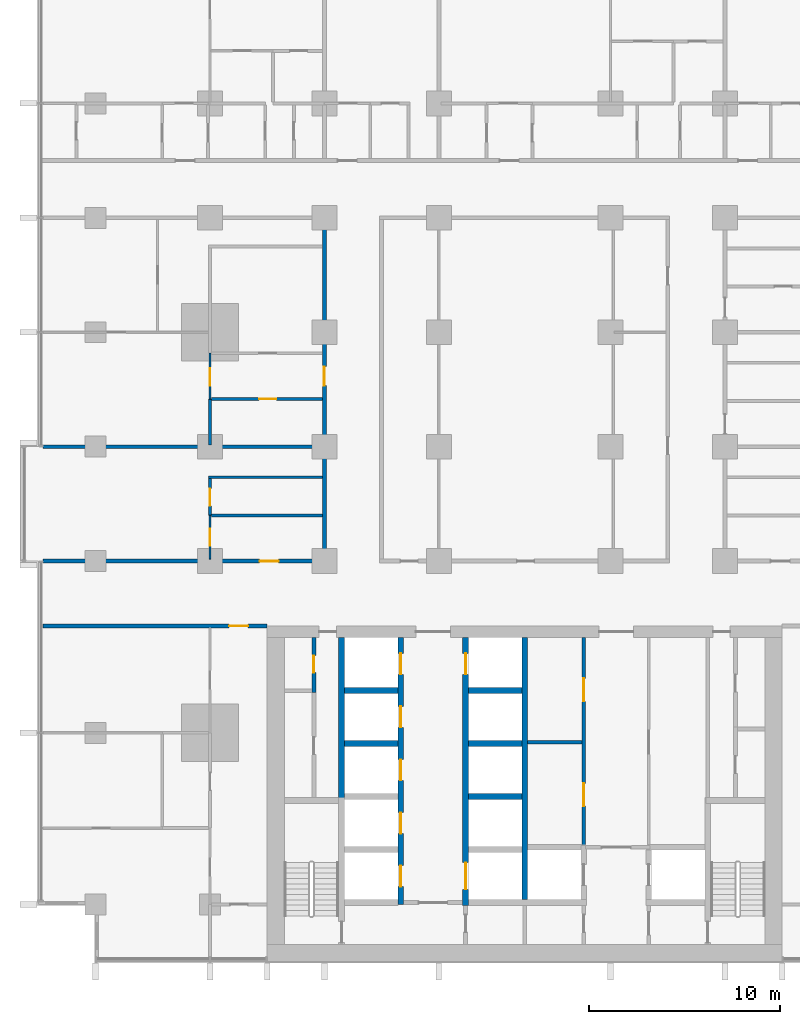
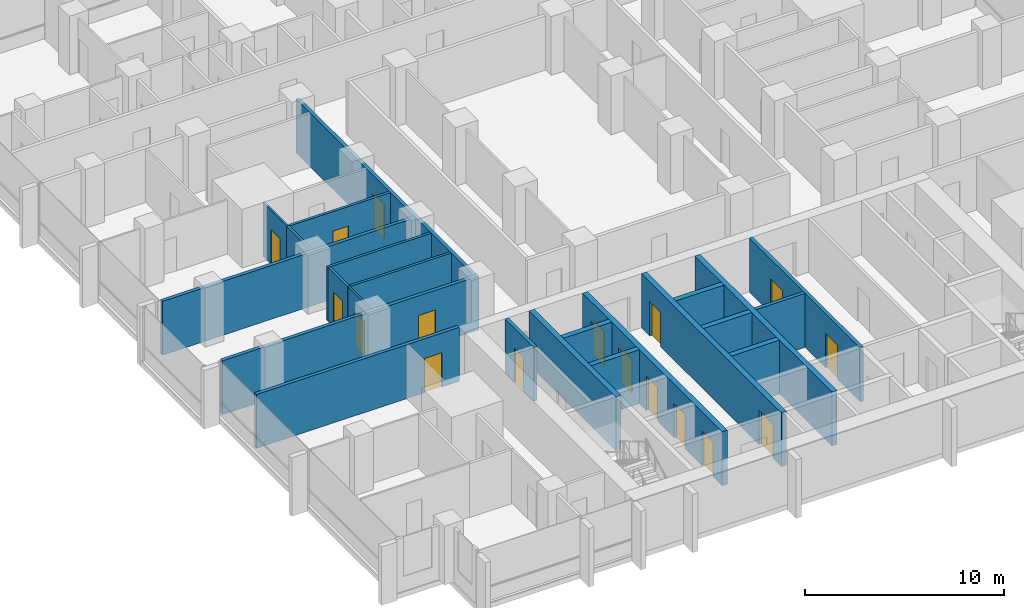
# One storey, part 8 of 18: 23 walls, 17 doors, 17 openings.
"""IFC4 building model written with IfcOpenShell, lengths in metres."""

from ifc_helpers import new_model, si_unit, direction, frame, frame_2d, origin, place, context, subcontext, project, spatial, rectangle, extrude, material, layer, layer_set, type_object, element, fill, save


model = new_model("IFC4")

# Units and contexts
model_context = context("Model", 3, precision=1e-05, world=origin(), true_north=direction((0.0, 1.0)))
body_context = subcontext(model_context, "Body", "Model", "MODEL_VIEW")
ifc_project = project(units=[si_unit("LENGTHUNIT", "METRE"), si_unit("AREAUNIT", "SQUARE_METRE"), si_unit("VOLUMEUNIT", "CUBIC_METRE"), si_unit("PLANEANGLEUNIT", "RADIAN"), si_unit("MASSUNIT", "GRAM", prefix="KILO")], contexts=[model_context])

# Site, building, storey
site_placement = place(None, origin())
site = spatial("IfcSite", under=ifc_project, at=site_placement, CompositionType="ELEMENT")
building_placement = place(site_placement, origin())
building = spatial("IfcBuilding", under=site, at=building_placement, Name="Finial Court Residences", CompositionType="ELEMENT")
storey_placement = place(building_placement, frame((0.0, 0.0, 54.10009765625)))
storey = spatial("IfcBuildingStorey", under=building, at=storey_placement, Name="L12", CompositionType="ELEMENT", Elevation=54.10009765625)

# Wall
ifc_material_1 = material(Name="Gypsum board")
ifc_layer_1 = layer(ifc_material_1, 0.02490234375)
ifc_material_2 = material(Name="Acoustic mineral wool in double frame")
ifc_layer_2 = layer(ifc_material_2, 0.14990234375)
ifc_layer_3 = layer(ifc_material_1, 0.02490234375)
ifc_layer_set_1 = layer_set([ifc_layer_1, ifc_layer_2, ifc_layer_3], Name="Acoustic party wall 200, 1 hour")
wall_type_1 = type_object("IfcWallType", Name="Acoustic party wall 200, 1 hour", PredefinedType="PARTITIONING", material=ifc_layer_set_1)
wall_1_placement = place(storey_placement, frame((-25.25, 1.5, 0.0), z_axis=(0.0, 0.0, 1.0), x_axis=(1.0, 0.0, 0.0)))
element("IfcWall", 1, at=wall_1_placement, inside=storey, type_object=wall_type_1, Name="Partition L12-019", PredefinedType="PARTITIONING", context=body_context, shape_type="SweptSolid", body=[
    extrude(rectangle(XDim=14.64990234375, YDim=0.199951171875, at=frame_2d((7.324951171875, 0.0))), origin(), (0.0, 0.0, 1.0), 3.2998046875),
])

# Wall, opening, door
ifc_layer_4 = layer(ifc_material_1, 0.02490234375)
ifc_layer_5 = layer(ifc_material_2, 0.14990234375)
ifc_layer_6 = layer(ifc_material_1, 0.02490234375)
ifc_layer_set_2 = layer_set([ifc_layer_4, ifc_layer_5, ifc_layer_6], Name="Corridor wall 200, 1 hour")
wall_type_2 = type_object("IfcWallType", Name="Corridor wall 200, 1 hour", PredefinedType="PARTITIONING", material=ifc_layer_set_2)
wall_2_placement = place(storey_placement, frame((-25.25, -7.89990234375, 0.0), z_axis=(0.0, 0.0, 1.0), x_axis=(1.0, 0.0, 0.0)))
wall_2 = element("IfcWall", 2, at=wall_2_placement, inside=storey, type_object=wall_type_2, Name="Partition L12-010", PredefinedType="PARTITIONING", context=body_context, shape_type="SweptSolid", body=[
    extrude(rectangle(XDim=11.75, YDim=0.199951171875, at=frame_2d((5.875, 0.0))), origin(), (0.0, 0.0, 1.0), 3.2998046875),
])
opening_1_placement = place(wall_2_placement, frame((9.75, 0.0, 0.0)))
opening_1 = element("IfcOpeningElement", 3, at=opening_1_placement, cuts=wall_2, Name="Opening L12-D005", PredefinedType="OPENING", context=body_context, shape_type="SweptSolid", body=[
    extrude(rectangle(XDim=1.0, YDim=2.10009765625, at=frame_2d((0.5, 1.050048828125))), frame((0.0, 0.10986328125, 0.0), z_axis=(0.0, -1.0, 0.0), x_axis=(1.0, 0.0, 0.0)), (0.0, 0.0, 1.0), 0.219970703125),
])
ifc_material_3 = material(Name="Timber door leaf in hollow metal frame", Category="wood")
door_type_1 = type_object("IfcDoorType", Name="Fire door set 1000 x 2100, 30 minutes", OperationType="SINGLE_SWING_LEFT", PredefinedType="DOOR", material=ifc_material_3)
door_1_placement = place(opening_1_placement, origin())
door_1 = element("IfcDoor", 4, at=door_1_placement, inside=storey, type_object=door_type_1, Name="Door L12-D005", OperationType="SINGLE_SWING_RIGHT", OverallHeight=2.10009765625, OverallWidth=1.0, PredefinedType="DOOR", context=body_context, shape_type="SweptSolid", body=[
    extrude(rectangle(XDim=1.0, YDim=2.10009765625, at=frame_2d((0.5, 1.050048828125))), frame((0.0, 0.02490234375, 0.0), z_axis=(0.0, -1.0, 0.0), x_axis=(1.0, 0.0, 0.0)), (0.0, 0.0, 1.0), 0.050048828125),
])
fill(opening_1, door_1)

wall_3_placement = place(storey_placement, frame((-25.25, -4.5, 0.0), z_axis=(0.0, 0.0, 1.0), x_axis=(1.0, 0.0, 0.0)))
wall_3 = element("IfcWall", 5, at=wall_3_placement, inside=storey, type_object=wall_type_2, Name="Partition L12-012", PredefinedType="PARTITIONING", context=body_context, shape_type="SweptSolid", body=[
    extrude(rectangle(XDim=14.85009765625, YDim=0.199951171875, at=frame_2d((7.425048828125, 0.0))), origin(), (0.0, 0.0, 1.0), 3.2998046875),
])
opening_2_placement = place(wall_3_placement, frame((11.35009765625, 0.0, 0.0)))
opening_2 = element("IfcOpeningElement", 6, at=opening_2_placement, cuts=wall_3, Name="Opening L12-D007", PredefinedType="OPENING", context=body_context, shape_type="SweptSolid", body=[
    extrude(rectangle(XDim=1.0, YDim=2.10009765625, at=frame_2d((0.5, 1.050048828125))), frame((0.0, 0.10986328125, 0.0), z_axis=(0.0, -1.0, 0.0), x_axis=(1.0, 0.0, 0.0)), (0.0, 0.0, 1.0), 0.219970703125),
])
door_2_placement = place(opening_2_placement, origin())
door_2 = element("IfcDoor", 7, at=door_2_placement, inside=storey, type_object=door_type_1, Name="Door L12-D007", OperationType="SINGLE_SWING_LEFT", OverallHeight=2.10009765625, OverallWidth=1.0, PredefinedType="DOOR", context=body_context, shape_type="SweptSolid", body=[
    extrude(rectangle(XDim=1.0, YDim=2.10009765625, at=frame_2d((0.5, 1.050048828125))), frame((0.0, 0.02490234375, 0.0), z_axis=(0.0, -1.0, 0.0), x_axis=(1.0, 0.0, 0.0)), (0.0, 0.0, 1.0), 0.050048828125),
])
fill(opening_2, door_2)

wall_4_placement = place(storey_placement, frame((-10.5, -4.39990234375, 0.0), z_axis=(0.0, 0.0, 1.0), x_axis=(0.0, 1.0, 0.0)))
wall_4 = element("IfcWall", 8, at=wall_4_placement, inside=storey, type_object=wall_type_2, Name="Partition L12-073", PredefinedType="PARTITIONING", context=body_context, shape_type="SweptSolid", body=[
    extrude(rectangle(XDim=17.7998046875, YDim=0.199951171875, at=frame_2d((8.89990234375, 0.0))), origin(), (0.0, 0.0, 1.0), 3.2998046875),
])
opening_3_placement = place(wall_4_placement, frame((9.10009765625, 0.0, 0.0)))
opening_3 = element("IfcOpeningElement", 9, at=opening_3_placement, cuts=wall_4, Name="Opening L12-D044", PredefinedType="OPENING", context=body_context, shape_type="SweptSolid", body=[
    extrude(rectangle(XDim=1.0, YDim=2.10009765625, at=frame_2d((0.5, 1.050048828125))), frame((0.0, 0.10986328125, 0.0), z_axis=(0.0, -1.0, 0.0), x_axis=(1.0, 0.0, 0.0)), (0.0, 0.0, 1.0), 0.219970703125),
])
door_3_placement = place(opening_3_placement, origin())
door_3 = element("IfcDoor", 10, at=door_3_placement, inside=storey, type_object=door_type_1, Name="Door L12-D044", OperationType="SINGLE_SWING_LEFT", OverallHeight=2.10009765625, OverallWidth=1.0, PredefinedType="DOOR", context=body_context, shape_type="SweptSolid", body=[
    extrude(rectangle(XDim=1.0, YDim=2.10009765625, at=frame_2d((0.5, 1.050048828125))), frame((0.0, 0.02490234375, 0.0), z_axis=(0.0, -1.0, 0.0), x_axis=(1.0, 0.0, 0.0)), (0.0, 0.0, 1.0), 0.050048828125),
])
fill(opening_3, door_3)

ifc_layer_7 = layer(ifc_material_1, 0.012451171875)
ifc_material_4 = material(Name="Mineral wool in light-gauge frame")
ifc_layer_8 = layer(ifc_material_4, 0.074951171875)
ifc_layer_9 = layer(ifc_material_1, 0.012451171875)
ifc_layer_set_3 = layer_set([ifc_layer_7, ifc_layer_8, ifc_layer_9], Name="Gypsum board partition 100")
wall_type_3 = type_object("IfcWallType", Name="Gypsum board partition 100", PredefinedType="PARTITIONING", material=ifc_layer_set_3)
wall_5_placement = place(storey_placement, frame((-16.5, -4.39990234375, 0.0), z_axis=(0.0, 0.0, 1.0), x_axis=(0.0, 1.0, 0.0)))
wall_5 = element("IfcWall", 11, at=wall_5_placement, inside=storey, type_object=wall_type_3, Name="Partition L12-062", PredefinedType="PARTITIONING", context=body_context, shape_type="SweptSolid", body=[
    extrude(rectangle(XDim=2.2998046875, YDim=0.10009765625, at=frame_2d((1.14990234375, 0.0))), origin(), (0.0, 0.0, 1.0), 3.2998046875),
])
opening_4_placement = place(wall_5_placement, frame((0.699951171875, 0.0, 0.0)))
opening_4 = element("IfcOpeningElement", 12, at=opening_4_placement, cuts=wall_5, Name="Opening L12-D037", PredefinedType="OPENING", context=body_context, shape_type="SweptSolid", body=[
    extrude(rectangle(XDim=0.89990234375, YDim=2.10009765625, at=frame_2d((0.449951171875, 1.050048828125))), frame((0.0, 0.06005859375, 0.0), z_axis=(0.0, -1.0, 0.0), x_axis=(1.0, 0.0, 0.0)), (0.0, 0.0, 1.0), 0.1201171875),
])
ifc_material_5 = material(Name="Timber door leaf in timber frame", Category="wood")
door_type_2 = type_object("IfcDoorType", Name="Door set 900 x 2100", OperationType="SINGLE_SWING_LEFT", PredefinedType="DOOR", material=ifc_material_5)
door_4_placement = place(opening_4_placement, origin())
door_4 = element("IfcDoor", 13, at=door_4_placement, inside=storey, type_object=door_type_2, Name="Door L12-D037", OperationType="SINGLE_SWING_RIGHT", OverallHeight=2.10009765625, OverallWidth=0.89990234375, PredefinedType="DOOR", context=body_context, shape_type="SweptSolid", body=[
    extrude(rectangle(XDim=0.89990234375, YDim=2.10009765625, at=frame_2d((0.449951171875, 1.050048828125))), frame((0.0, 0.02490234375, 0.0), z_axis=(0.0, -1.0, 0.0), x_axis=(1.0, 0.0, 0.0)), (0.0, 0.0, 1.0), 0.050048828125),
])
fill(opening_4, door_4)

wall_6_placement = place(storey_placement, frame((-16.5, 4.0, 0.0), z_axis=(0.0, 0.0, 1.0), x_axis=(0.0, 1.0, 0.0)))
wall_6 = element("IfcWall", 14, at=wall_6_placement, inside=storey, type_object=wall_type_3, Name="Partition L12-063", PredefinedType="PARTITIONING", context=body_context, shape_type="SweptSolid", body=[
    extrude(rectangle(XDim=2.39990234375, YDim=0.10009765625, at=frame_2d((1.199951171875, 0.0))), origin(), (0.0, 0.0, 1.0), 3.2998046875),
])
opening_5_placement = place(wall_6_placement, frame((0.699951171875, 0.0, 0.0)))
opening_5 = element("IfcOpeningElement", 15, at=opening_5_placement, cuts=wall_6, Name="Opening L12-D038", PredefinedType="OPENING", context=body_context, shape_type="SweptSolid", body=[
    extrude(rectangle(XDim=0.89990234375, YDim=2.10009765625, at=frame_2d((0.449951171875, 1.050048828125))), frame((0.0, 0.06005859375, 0.0), z_axis=(0.0, -1.0, 0.0), x_axis=(1.0, 0.0, 0.0)), (0.0, 0.0, 1.0), 0.1201171875),
])
door_5_placement = place(opening_5_placement, origin())
door_5 = element("IfcDoor", 16, at=door_5_placement, inside=storey, type_object=door_type_2, Name="Door L12-D038", OperationType="SINGLE_SWING_RIGHT", OverallHeight=2.10009765625, OverallWidth=0.89990234375, PredefinedType="DOOR", context=body_context, shape_type="SweptSolid", body=[
    extrude(rectangle(XDim=0.89990234375, YDim=2.10009765625, at=frame_2d((0.449951171875, 1.050048828125))), frame((0.0, 0.02490234375, 0.0), z_axis=(0.0, -1.0, 0.0), x_axis=(1.0, 0.0, 0.0)), (0.0, 0.0, 1.0), 0.050048828125),
])
fill(opening_5, door_5)

# Walls
ifc_material_6 = material(Name="Moisture-resistant gypsum board")
ifc_layer_10 = layer(ifc_material_6, 0.012451171875)
ifc_layer_11 = layer(ifc_material_4, 0.125)
ifc_layer_12 = layer(ifc_material_6, 0.012451171875)
ifc_layer_set_4 = layer_set([ifc_layer_10, ifc_layer_11, ifc_layer_12], Name="Gypsum board wet-area partition 150")
wall_type_4 = type_object("IfcWallType", Name="Gypsum board wet-area partition 150", PredefinedType="PARTITIONING", material=ifc_layer_set_4)
wall_7_placement = place(storey_placement, frame((-16.425048828125, -2.10009765625, 0.0), z_axis=(0.0, 0.0, 1.0), x_axis=(1.0, 0.0, 0.0)))
element("IfcWall", 17, at=wall_7_placement, inside=storey, type_object=wall_type_4, Name="Partition L12-015", PredefinedType="PARTITIONING", context=body_context, shape_type="SweptSolid", body=[
    extrude(rectangle(XDim=5.824951171875, YDim=0.14990234375, at=frame_2d((2.91259765625, 0.0))), origin(), (0.0, 0.0, 1.0), 3.2998046875),
])
wall_8_placement = place(storey_placement, frame((-16.574951171875, -0.10009765625, 0.0), z_axis=(0.0, 0.0, 1.0), x_axis=(1.0, 0.0, 0.0)))
element("IfcWall", 18, at=wall_8_placement, inside=storey, type_object=wall_type_4, Name="Partition L12-017", PredefinedType="PARTITIONING", context=body_context, shape_type="SweptSolid", body=[
    extrude(rectangle(XDim=5.974853515625, YDim=0.14990234375, at=frame_2d((2.9873046875, 0.0))), origin(), (0.0, 0.0, 1.0), 3.2998046875),
])

# Wall, opening, door
wall_9_placement = place(storey_placement, frame((-16.425048828125, 4.0, 0.0), z_axis=(0.0, 0.0, 1.0), x_axis=(1.0, 0.0, 0.0)))
wall_9 = element("IfcWall", 19, at=wall_9_placement, inside=storey, type_object=wall_type_4, Name="Partition L12-022", PredefinedType="PARTITIONING", context=body_context, shape_type="SweptSolid", body=[
    extrude(rectangle(XDim=5.824951171875, YDim=0.14990234375, at=frame_2d((2.91259765625, 0.0))), origin(), (0.0, 0.0, 1.0), 3.2998046875),
])
opening_6_placement = place(wall_9_placement, frame((2.5, 0.0, 0.0)))
opening_6 = element("IfcOpeningElement", 20, at=opening_6_placement, cuts=wall_9, Name="Opening L12-D011", PredefinedType="OPENING", context=body_context, shape_type="SweptSolid", body=[
    extrude(rectangle(XDim=0.89990234375, YDim=2.10009765625, at=frame_2d((0.449951171875, 1.050048828125))), frame((0.0, 0.0849609375, 0.0), z_axis=(0.0, -1.0, 0.0), x_axis=(1.0, 0.0, 0.0)), (0.0, 0.0, 1.0), 0.169921875),
])
door_6_placement = place(opening_6_placement, origin())
door_6 = element("IfcDoor", 21, at=door_6_placement, inside=storey, type_object=door_type_2, Name="Door L12-D011", OperationType="SINGLE_SWING_RIGHT", OverallHeight=2.10009765625, OverallWidth=0.89990234375, PredefinedType="DOOR", context=body_context, shape_type="SweptSolid", body=[
    extrude(rectangle(XDim=0.89990234375, YDim=2.10009765625, at=frame_2d((0.449951171875, 1.050048828125))), frame((0.0, 0.02490234375, 0.0), z_axis=(0.0, -1.0, 0.0), x_axis=(1.0, 0.0, 0.0)), (0.0, 0.0, 1.0), 0.050048828125),
])
fill(opening_6, door_6)

wall_10_placement = place(storey_placement, frame((-16.5, -2.10009765625, 0.0), z_axis=(0.0, 0.0, 1.0), x_axis=(0.0, 1.0, 0.0)))
wall_10 = element("IfcWall", 22, at=wall_10_placement, inside=storey, type_object=wall_type_4, Name="Partition L12-067", PredefinedType="PARTITIONING", context=body_context, shape_type="SweptSolid", body=[
    extrude(rectangle(XDim=1.925048828125, YDim=0.14990234375, at=frame_2d((0.96240234375, 0.0))), origin(), (0.0, 0.0, 1.0), 3.2998046875),
])
opening_7_placement = place(wall_10_placement, frame((0.5, 0.0, 0.0)))
opening_7 = element("IfcOpeningElement", 23, at=opening_7_placement, cuts=wall_10, Name="Opening L12-D041", PredefinedType="OPENING", context=body_context, shape_type="SweptSolid", body=[
    extrude(rectangle(XDim=0.89990234375, YDim=2.10009765625, at=frame_2d((0.449951171875, 1.050048828125))), frame((0.0, 0.0849609375, 0.0), z_axis=(0.0, -1.0, 0.0), x_axis=(1.0, 0.0, 0.0)), (0.0, 0.0, 1.0), 0.169921875),
])
door_7_placement = place(opening_7_placement, origin())
door_7 = element("IfcDoor", 24, at=door_7_placement, inside=storey, type_object=door_type_2, Name="Door L12-D041", OperationType="SINGLE_SWING_LEFT", OverallHeight=2.10009765625, OverallWidth=0.89990234375, PredefinedType="DOOR", context=body_context, shape_type="SweptSolid", body=[
    extrude(rectangle(XDim=0.89990234375, YDim=2.10009765625, at=frame_2d((0.449951171875, 1.050048828125))), frame((0.0, 0.02490234375, 0.0), z_axis=(0.0, -1.0, 0.0), x_axis=(1.0, 0.0, 0.0)), (0.0, 0.0, 1.0), 0.050048828125),
])
fill(opening_7, door_7)

# Walls
wall_11_placement = place(storey_placement, frame((-16.5, 1.60009765625, 0.0), z_axis=(0.0, 0.0, 1.0), x_axis=(0.0, 1.0, 0.0)))
element("IfcWall", 25, at=wall_11_placement, inside=storey, type_object=wall_type_4, Name="Partition L12-068", PredefinedType="PARTITIONING", context=body_context, shape_type="SweptSolid", body=[
    extrude(rectangle(XDim=2.39990234375, YDim=0.14990234375, at=frame_2d((1.199951171875, 0.0))), origin(), (0.0, 0.0, 1.0), 3.2998046875),
])
ifc_material_7 = material(Name="Concrete C80/95", Category="concrete")
ifc_layer_13 = layer(ifc_material_7, 0.300048828125)
ifc_layer_set_5 = layer_set([ifc_layer_13], Name="Lift shaft and stair wall 300 Concrete C80/95")
wall_type_5 = type_object("IfcWallType", Name="Lift shaft and stair wall 300 Concrete C80/95", PredefinedType="SHEAR", material=ifc_layer_set_5)
for number, where, z_axis, x_axis, name in (
    (26, (-2.949951171875, -16.840087890625, 0.0), (0.0, 0.0, 1.0), (1.0, 0.0, 0.0), "Core wall L12-13"),
    (27, (-9.449951171875, -14.06005859375, 0.0), (0.0, 0.0, 1.0), (1.0, 0.0, 0.0), "Core wall L12-14"),
    (28, (-2.949951171875, -14.06005859375, 0.0), (0.0, 0.0, 1.0), (1.0, 0.0, 0.0), "Core wall L12-15"),
    (29, (-9.449951171875, -11.280029296875, 0.0), (0.0, 0.0, 1.0), (1.0, 0.0, 0.0), "Core wall L12-19"),
    (30, (-2.949951171875, -11.280029296875, 0.0), (0.0, 0.0, 1.0), (1.0, 0.0, 0.0), "Core wall L12-20"),
):
    element("IfcWall", number, at=place(storey_placement, frame(where, z_axis=z_axis, x_axis=x_axis)), inside=storey, type_object=wall_type_5, Name=name, PredefinedType="SHEAR", context=body_context, shape_type="SweptSolid", body=[
        extrude(rectangle(XDim=2.800048828125, YDim=0.300048828125, at=frame_2d((1.39990234375, 0.0))), origin(), (0.0, 0.0, 1.0), 3.2998046875),
    ])
wall_12_placement = place(storey_placement, frame((-9.60009765625, -17.199951171875, 0.0), z_axis=(0.0, 0.0, 1.0), x_axis=(0.0, 1.0, 0.0)))
element("IfcWall", 31, at=wall_12_placement, inside=storey, type_object=wall_type_5, Name="Core wall L12-24", PredefinedType="SHEAR", context=body_context, shape_type="SweptSolid", body=[
    extrude(rectangle(XDim=8.699951171875, YDim=0.300048828125, at=frame_2d((4.35009765625, 0.0))), origin(), (0.0, 0.0, 1.0), 3.2998046875),
])

# Wall, openings, doors
wall_13_placement = place(storey_placement, frame((-6.5, -22.5, 0.0), z_axis=(0.0, 0.0, 1.0), x_axis=(0.0, 1.0, 0.0)))
wall_13 = element("IfcWall", 32, at=wall_13_placement, inside=storey, type_object=wall_type_5, Name="Core wall L12-25", PredefinedType="SHEAR", context=body_context, shape_type="SweptSolid", body=[
    extrude(rectangle(XDim=14.0, YDim=0.300048828125, at=frame_2d((7.0, 0.0))), origin(), (0.0, 0.0, 1.0), 3.2998046875),
])
opening_8_placement = place(wall_13_placement, frame((0.93994140625, 0.0, 0.0)))
opening_8 = element("IfcOpeningElement", 33, at=opening_8_placement, cuts=wall_13, Name="Opening L12-LD03", PredefinedType="OPENING", context=body_context, shape_type="SweptSolid", body=[
    extrude(rectangle(XDim=1.10009765625, YDim=2.10009765625, at=frame_2d((0.550048828125, 1.050048828125))), frame((0.0, 0.159912109375, 0.0), z_axis=(0.0, -1.0, 0.0), x_axis=(1.0, 0.0, 0.0)), (0.0, 0.0, 1.0), 0.320068359375),
])
opening_9_placement = place(wall_13_placement, frame((3.719970703125, 0.0, 0.0)))
opening_9 = element("IfcOpeningElement", 34, at=opening_9_placement, cuts=wall_13, Name="Opening L12-LD04", PredefinedType="OPENING", context=body_context, shape_type="SweptSolid", body=[
    extrude(rectangle(XDim=1.10009765625, YDim=2.10009765625, at=frame_2d((0.550048828125, 1.050048828125))), frame((0.0, 0.159912109375, 0.0), z_axis=(0.0, -1.0, 0.0), x_axis=(1.0, 0.0, 0.0)), (0.0, 0.0, 1.0), 0.320068359375),
])
opening_10_placement = place(wall_13_placement, frame((6.5, 0.0, 0.0)))
opening_10 = element("IfcOpeningElement", 35, at=opening_10_placement, cuts=wall_13, Name="Opening L12-LD05", PredefinedType="OPENING", context=body_context, shape_type="SweptSolid", body=[
    extrude(rectangle(XDim=1.10009765625, YDim=2.10009765625, at=frame_2d((0.550048828125, 1.050048828125))), frame((0.0, 0.159912109375, 0.0), z_axis=(0.0, -1.0, 0.0), x_axis=(1.0, 0.0, 0.0)), (0.0, 0.0, 1.0), 0.320068359375),
])
opening_11_placement = place(wall_13_placement, frame((9.280029296875, 0.0, 0.0)))
opening_11 = element("IfcOpeningElement", 36, at=opening_11_placement, cuts=wall_13, Name="Opening L12-LD06", PredefinedType="OPENING", context=body_context, shape_type="SweptSolid", body=[
    extrude(rectangle(XDim=1.10009765625, YDim=2.10009765625, at=frame_2d((0.550048828125, 1.050048828125))), frame((0.0, 0.159912109375, 0.0), z_axis=(0.0, -1.0, 0.0), x_axis=(1.0, 0.0, 0.0)), (0.0, 0.0, 1.0), 0.320068359375),
])
opening_12_placement = place(wall_13_placement, frame((12.06005859375, 0.0, 0.0)))
opening_12 = element("IfcOpeningElement", 37, at=opening_12_placement, cuts=wall_13, Name="Opening L12-LD07", PredefinedType="OPENING", context=body_context, shape_type="SweptSolid", body=[
    extrude(rectangle(XDim=1.10009765625, YDim=2.10009765625, at=frame_2d((0.550048828125, 1.050048828125))), frame((0.0, 0.159912109375, 0.0), z_axis=(0.0, -1.0, 0.0), x_axis=(1.0, 0.0, 0.0)), (0.0, 0.0, 1.0), 0.320068359375),
])
ifc_material_8 = material(Name="Stainless steel lift door", Category="steel")
door_type_3 = type_object("IfcDoorType", Name="Lift landing door 1100 x 2100 EI 90", OperationType="DOUBLE_DOOR_SLIDING", PredefinedType="DOOR", material=ifc_material_8)
door_8_placement = place(opening_8_placement, origin())
door_8 = element("IfcDoor", 38, at=door_8_placement, inside=storey, type_object=door_type_3, Name="Lift landing door LR1 L12", OperationType="DOUBLE_DOOR_SLIDING", OverallHeight=2.10009765625, OverallWidth=1.10009765625, PredefinedType="DOOR", context=body_context, shape_type="SweptSolid", body=[
    extrude(rectangle(XDim=1.10009765625, YDim=2.10009765625, at=frame_2d((0.550048828125, 1.050048828125))), frame((0.0, 0.02490234375, 0.0), z_axis=(0.0, -1.0, 0.0), x_axis=(1.0, 0.0, 0.0)), (0.0, 0.0, 1.0), 0.050048828125),
])
fill(opening_8, door_8)
door_9_placement = place(opening_9_placement, origin())
door_9 = element("IfcDoor", 39, at=door_9_placement, inside=storey, type_object=door_type_3, Name="Lift landing door LR2 L12", OperationType="DOUBLE_DOOR_SLIDING", OverallHeight=2.10009765625, OverallWidth=1.10009765625, PredefinedType="DOOR", context=body_context, shape_type="SweptSolid", body=[
    extrude(rectangle(XDim=1.10009765625, YDim=2.10009765625, at=frame_2d((0.550048828125, 1.050048828125))), frame((0.0, 0.02490234375, 0.0), z_axis=(0.0, -1.0, 0.0), x_axis=(1.0, 0.0, 0.0)), (0.0, 0.0, 1.0), 0.050048828125),
])
fill(opening_9, door_9)
door_10_placement = place(opening_10_placement, origin())
door_10 = element("IfcDoor", 40, at=door_10_placement, inside=storey, type_object=door_type_3, Name="Lift landing door LR3 L12", OperationType="DOUBLE_DOOR_SLIDING", OverallHeight=2.10009765625, OverallWidth=1.10009765625, PredefinedType="DOOR", context=body_context, shape_type="SweptSolid", body=[
    extrude(rectangle(XDim=1.10009765625, YDim=2.10009765625, at=frame_2d((0.550048828125, 1.050048828125))), frame((0.0, 0.02490234375, 0.0), z_axis=(0.0, -1.0, 0.0), x_axis=(1.0, 0.0, 0.0)), (0.0, 0.0, 1.0), 0.050048828125),
])
fill(opening_10, door_10)
door_11_placement = place(opening_11_placement, origin())
door_11 = element("IfcDoor", 41, at=door_11_placement, inside=storey, type_object=door_type_3, Name="Lift landing door LR4 L12", OperationType="DOUBLE_DOOR_SLIDING", OverallHeight=2.10009765625, OverallWidth=1.10009765625, PredefinedType="DOOR", context=body_context, shape_type="SweptSolid", body=[
    extrude(rectangle(XDim=1.10009765625, YDim=2.10009765625, at=frame_2d((0.550048828125, 1.050048828125))), frame((0.0, 0.02490234375, 0.0), z_axis=(0.0, -1.0, 0.0), x_axis=(1.0, 0.0, 0.0)), (0.0, 0.0, 1.0), 0.050048828125),
])
fill(opening_11, door_11)
door_12_placement = place(opening_12_placement, origin())
door_12 = element("IfcDoor", 42, at=door_12_placement, inside=storey, type_object=door_type_3, Name="Lift landing door LR5 L12", OperationType="DOUBLE_DOOR_SLIDING", OverallHeight=2.10009765625, OverallWidth=1.10009765625, PredefinedType="DOOR", context=body_context, shape_type="SweptSolid", body=[
    extrude(rectangle(XDim=1.10009765625, YDim=2.10009765625, at=frame_2d((0.550048828125, 1.050048828125))), frame((0.0, 0.02490234375, 0.0), z_axis=(0.0, -1.0, 0.0), x_axis=(1.0, 0.0, 0.0)), (0.0, 0.0, 1.0), 0.050048828125),
])
fill(opening_12, door_12)

wall_14_placement = place(storey_placement, frame((-3.10009765625, -22.550048828125, 0.0), z_axis=(0.0, 0.0, 1.0), x_axis=(0.0, 1.0, 0.0)))
wall_14 = element("IfcWall", 43, at=wall_14_placement, inside=storey, type_object=wall_type_5, Name="Core wall L12-27", PredefinedType="SHEAR", context=body_context, shape_type="SweptSolid", body=[
    extrude(rectangle(XDim=14.050048828125, YDim=0.300048828125, at=frame_2d((7.02490234375, 0.0))), origin(), (0.0, 0.0, 1.0), 3.2998046875),
])
opening_13_placement = place(wall_14_placement, frame((12.110107421875, 0.0, 0.0)))
opening_13 = element("IfcOpeningElement", 44, at=opening_13_placement, cuts=wall_14, Name="Opening L12-LD08", PredefinedType="OPENING", context=body_context, shape_type="SweptSolid", body=[
    extrude(rectangle(XDim=1.10009765625, YDim=2.10009765625, at=frame_2d((0.550048828125, 1.050048828125))), frame((0.0, 0.159912109375, 0.0), z_axis=(0.0, -1.0, 0.0), x_axis=(1.0, 0.0, 0.0)), (0.0, 0.0, 1.0), 0.320068359375),
])
opening_14_placement = place(wall_14_placement, frame((0.840087890625, 0.0, 0.0)))
opening_14 = element("IfcOpeningElement", 45, at=opening_14_placement, cuts=wall_14, Name="Opening L12-LD09", PredefinedType="OPENING", context=body_context, shape_type="SweptSolid", body=[
    extrude(rectangle(XDim=1.39990234375, YDim=2.10009765625, at=frame_2d((0.699951171875, 1.050048828125))), frame((0.0, 0.159912109375, 0.0), z_axis=(0.0, -1.0, 0.0), x_axis=(1.0, 0.0, 0.0)), (0.0, 0.0, 1.0), 0.320068359375),
])
door_13_placement = place(opening_13_placement, origin())
door_13 = element("IfcDoor", 46, at=door_13_placement, inside=storey, type_object=door_type_3, Name="Lift landing door LR6 L12", OperationType="DOUBLE_DOOR_SLIDING", OverallHeight=2.10009765625, OverallWidth=1.10009765625, PredefinedType="DOOR", context=body_context, shape_type="SweptSolid", body=[
    extrude(rectangle(XDim=1.10009765625, YDim=2.10009765625, at=frame_2d((0.550048828125, 1.050048828125))), frame((0.0, 0.02490234375, 0.0), z_axis=(0.0, -1.0, 0.0), x_axis=(1.0, 0.0, 0.0)), (0.0, 0.0, 1.0), 0.050048828125),
])
fill(opening_13, door_13)
door_type_4 = type_object("IfcDoorType", Name="Lift landing door 1400 x 2100 EI 90", OperationType="DOUBLE_DOOR_SLIDING", PredefinedType="DOOR", material=ifc_material_8)
door_14_placement = place(opening_14_placement, origin())
door_14 = element("IfcDoor", 47, at=door_14_placement, inside=storey, type_object=door_type_4, Name="Lift landing door SV1 L12", OperationType="DOUBLE_DOOR_SLIDING", OverallHeight=2.10009765625, OverallWidth=1.39990234375, PredefinedType="DOOR", context=body_context, shape_type="SweptSolid", body=[
    extrude(rectangle(XDim=1.39990234375, YDim=2.10009765625, at=frame_2d((0.699951171875, 1.050048828125))), frame((0.0, 0.02490234375, 0.0), z_axis=(0.0, -1.0, 0.0), x_axis=(1.0, 0.0, 0.0)), (0.0, 0.0, 1.0), 0.050048828125),
])
fill(opening_14, door_14)

# Walls
wall_15_placement = place(storey_placement, frame((0.0, -22.25, 0.0), z_axis=(0.0, 0.0, 1.0), x_axis=(0.0, 1.0, 0.0)))
element("IfcWall", 48, at=wall_15_placement, inside=storey, type_object=wall_type_5, Name="Core wall L12-29", PredefinedType="SHEAR", context=body_context, shape_type="SweptSolid", body=[
    extrude(rectangle(XDim=13.75, YDim=0.300048828125, at=frame_2d((6.875, 0.0))), origin(), (0.0, 0.0, 1.0), 3.2998046875),
])
ifc_material_9 = material(Name="Fire-rated gypsum board partition")
ifc_layer_14 = layer(ifc_material_9, 0.199951171875)
ifc_layer_set_6 = layer_set([ifc_layer_14], Name="Riser room wall 200 EI 120")
wall_type_6 = type_object("IfcWallType", Name="Riser room wall 200 EI 120", PredefinedType="PARTITIONING", material=ifc_layer_set_6)
wall_16_placement = place(storey_placement, frame((0.14990234375, -14.0, 0.0), z_axis=(0.0, 0.0, 1.0), x_axis=(1.0, 0.0, 0.0)))
element("IfcWall", 49, at=wall_16_placement, inside=storey, type_object=wall_type_6, Name="Core partition L12-16", PredefinedType="PARTITIONING", context=body_context, shape_type="SweptSolid", body=[
    extrude(rectangle(XDim=2.85009765625, YDim=0.199951171875, at=frame_2d((1.425048828125, 0.0))), origin(), (0.0, 0.0, 1.0), 3.2998046875),
])

# Wall, opening, door
wall_17_placement = place(storey_placement, frame((-11.050048828125, -11.39990234375, 0.0), z_axis=(0.0, 0.0, 1.0), x_axis=(0.0, 1.0, 0.0)))
wall_17 = element("IfcWall", 50, at=wall_17_placement, inside=storey, type_object=wall_type_6, Name="Core partition L12-22", PredefinedType="PARTITIONING", context=body_context, shape_type="SweptSolid", body=[
    extrude(rectangle(XDim=2.89990234375, YDim=0.199951171875, at=frame_2d((1.449951171875, 0.0))), origin(), (0.0, 0.0, 1.0), 3.2998046875),
])
opening_15_placement = place(wall_17_placement, frame((1.050048828125, 0.0, 0.0)))
opening_15 = element("IfcOpeningElement", 51, at=opening_15_placement, cuts=wall_17, Name="Opening L12-C07", PredefinedType="OPENING", context=body_context, shape_type="SweptSolid", body=[
    extrude(rectangle(XDim=0.89990234375, YDim=2.10009765625, at=frame_2d((0.449951171875, 1.050048828125))), frame((0.0, 0.10986328125, 0.0), z_axis=(0.0, -1.0, 0.0), x_axis=(1.0, 0.0, 0.0)), (0.0, 0.0, 1.0), 0.219970703125),
])
ifc_material_10 = material(Name="Steel fire door", Category="steel")
door_type_5 = type_object("IfcDoorType", Name="Riser room door 900 x 2100 EI 90", OperationType="NOTDEFINED", PredefinedType="DOOR", material=ifc_material_10)
door_15_placement = place(opening_15_placement, origin())
door_15 = element("IfcDoor", 52, at=door_15_placement, inside=storey, type_object=door_type_5, Name="Riser room door L12-C07", OperationType="SINGLE_SWING_LEFT", OverallHeight=2.10009765625, OverallWidth=0.89990234375, PredefinedType="DOOR", context=body_context, shape_type="SweptSolid", body=[
    extrude(rectangle(XDim=0.89990234375, YDim=2.10009765625, at=frame_2d((0.449951171875, 1.050048828125))), frame((0.0, 0.02490234375, 0.0), z_axis=(0.0, -1.0, 0.0), x_axis=(1.0, 0.0, 0.0)), (0.0, 0.0, 1.0), 0.050048828125),
])
fill(opening_15, door_15)

# Wall, openings, doors
wall_18_placement = place(storey_placement, frame((3.10009765625, -19.60009765625, 0.0), z_axis=(0.0, 0.0, 1.0), x_axis=(0.0, 1.0, 0.0)))
wall_18 = element("IfcWall", 53, at=wall_18_placement, inside=storey, type_object=wall_type_6, Name="Core partition L12-32", PredefinedType="PARTITIONING", context=body_context, shape_type="SweptSolid", body=[
    extrude(rectangle(XDim=11.10009765625, YDim=0.199951171875, at=frame_2d((5.550048828125, 0.0))), origin(), (0.0, 0.0, 1.0), 3.2998046875),
])
opening_16_placement = place(wall_18_placement, frame((2.25, 0.0, 0.0)))
opening_16 = element("IfcOpeningElement", 54, at=opening_16_placement, cuts=wall_18, Name="Opening L12-C09", PredefinedType="OPENING", context=body_context, shape_type="SweptSolid", body=[
    extrude(rectangle(XDim=1.199951171875, YDim=2.10009765625, at=frame_2d((0.60009765625, 1.050048828125))), frame((0.0, 0.10986328125, 0.0), z_axis=(0.0, -1.0, 0.0), x_axis=(1.0, 0.0, 0.0)), (0.0, 0.0, 1.0), 0.219970703125),
])
opening_17_placement = place(wall_18_placement, frame((7.75, 0.0, 0.0)))
opening_17 = element("IfcOpeningElement", 55, at=opening_17_placement, cuts=wall_18, Name="Opening L12-C10", PredefinedType="OPENING", context=body_context, shape_type="SweptSolid", body=[
    extrude(rectangle(XDim=1.199951171875, YDim=2.10009765625, at=frame_2d((0.60009765625, 1.050048828125))), frame((0.0, 0.10986328125, 0.0), z_axis=(0.0, -1.0, 0.0), x_axis=(1.0, 0.0, 0.0)), (0.0, 0.0, 1.0), 0.219970703125),
])
door_type_6 = type_object("IfcDoorType", Name="Riser room door 1200 x 2100 EI 90", OperationType="NOTDEFINED", PredefinedType="DOOR", material=ifc_material_10)
door_16_placement = place(opening_16_placement, origin())
door_16 = element("IfcDoor", 56, at=door_16_placement, inside=storey, type_object=door_type_6, Name="Riser room door L12-C09", OperationType="SINGLE_SWING_LEFT", OverallHeight=2.10009765625, OverallWidth=1.199951171875, PredefinedType="DOOR", context=body_context, shape_type="SweptSolid", body=[
    extrude(rectangle(XDim=1.199951171875, YDim=2.10009765625, at=frame_2d((0.60009765625, 1.050048828125))), frame((0.0, 0.02490234375, 0.0), z_axis=(0.0, -1.0, 0.0), x_axis=(1.0, 0.0, 0.0)), (0.0, 0.0, 1.0), 0.050048828125),
])
fill(opening_16, door_16)
door_17_placement = place(opening_17_placement, origin())
door_17 = element("IfcDoor", 57, at=door_17_placement, inside=storey, type_object=door_type_6, Name="Riser room door L12-C10", OperationType="SINGLE_SWING_LEFT", OverallHeight=2.10009765625, OverallWidth=1.199951171875, PredefinedType="DOOR", context=body_context, shape_type="SweptSolid", body=[
    extrude(rectangle(XDim=1.199951171875, YDim=2.10009765625, at=frame_2d((0.60009765625, 1.050048828125))), frame((0.0, 0.02490234375, 0.0), z_axis=(0.0, -1.0, 0.0), x_axis=(1.0, 0.0, 0.0)), (0.0, 0.0, 1.0), 0.050048828125),
])
fill(opening_17, door_17)

save(model, "model.ifc")
